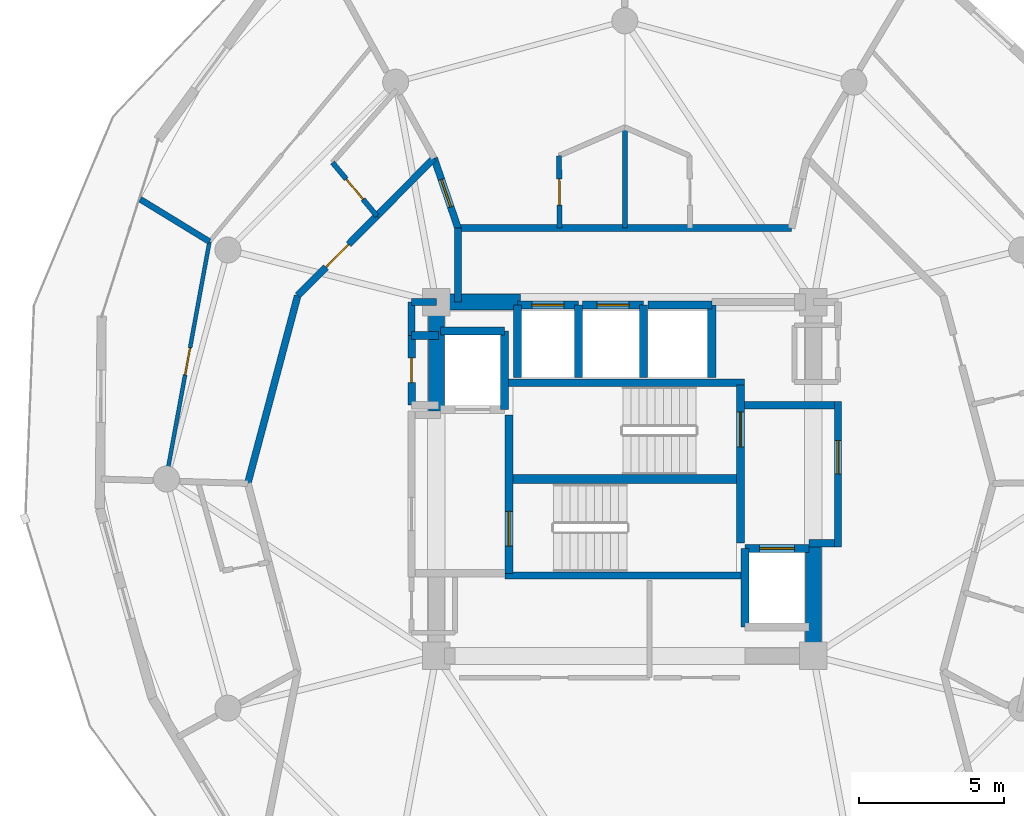
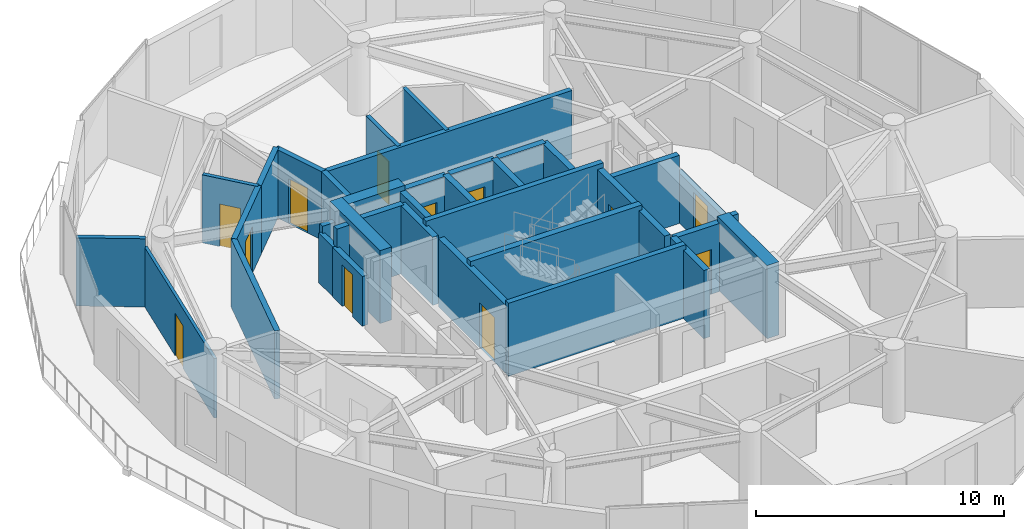
# One storey, part 16 of 20: 37 walls, 12 doors, 12 openings.
"""IFC4 building model written with IfcOpenShell, lengths in metres."""

from ifc_helpers import new_model, si_unit, direction, frame, frame_2d, origin, place, context, subcontext, project, spatial, rectangle, extrude, material, layer, layer_set, type_object, element, fill, save


model = new_model("IFC4")

# Units and contexts
model_context = context("Model", 3, precision=1e-05, world=origin(), true_north=direction((0.0, 1.0)))
body_context = subcontext(model_context, "Body", "Model", "MODEL_VIEW")
ifc_project = project(units=[si_unit("LENGTHUNIT", "METRE"), si_unit("AREAUNIT", "SQUARE_METRE"), si_unit("VOLUMEUNIT", "CUBIC_METRE"), si_unit("PLANEANGLEUNIT", "RADIAN"), si_unit("MASSUNIT", "GRAM", prefix="KILO")], contexts=[model_context])

# Site, building, storey
site_placement = place(None, origin())
site = spatial("IfcSite", under=ifc_project, at=site_placement, CompositionType="ELEMENT")
building_placement = place(site_placement, origin())
building = spatial("IfcBuilding", under=site, at=building_placement, Name="Solvirekh Grand Hotel", CompositionType="ELEMENT")
storey_placement = place(building_placement, frame((0.0, 0.0, 209.199951171875)))
storey = spatial("IfcBuildingStorey", under=building, at=storey_placement, Name="L54", CompositionType="ELEMENT", Elevation=209.199951171875)

# Walls
ifc_material_1 = material(Name="Concrete C50/60", Category="concrete")
ifc_layer_1 = layer(ifc_material_1, 0.35009765625)
ifc_layer_set_1 = layer_set([ifc_layer_1], Name="Concrete C50/60")
wall_type_1 = type_object("IfcWallType", Name="CoreDivWall_RC350", PredefinedType="SOLIDWALL", material=ifc_layer_set_1)
for number, where, z_axis, x_axis, name in (
    (1, (-4.1298828125, -3.324951171875, 0.0), (0.0, 0.0, 1.0), (1.0, 0.0, 0.0), "L54 core stair box wall ST-S"),
    (2, (-4.1298828125, 3.324951171875, 0.0), (0.0, 0.0, 1.0), (1.0, 0.0, 0.0), "L54 core stair box wall ST-N"),
):
    element("IfcWall", number, at=place(storey_placement, frame(where, z_axis=z_axis, x_axis=x_axis)), inside=storey, type_object=wall_type_1, Name=name, PredefinedType="SOLIDWALL", context=body_context, shape_type="SweptSolid", body=[
        extrude(rectangle(XDim=8.259765625, YDim=0.25, at=frame_2d((4.1298828125, 0.0))), origin(), (0.0, 0.0, 1.0), 3.60009765625),
    ])

# Wall, opening, door
ifc_material_2 = material(Name="Concrete C40/50", Category="concrete")
ifc_layer_2 = layer(ifc_material_2, 0.280029296875)
ifc_layer_set_2 = layer_set([ifc_layer_2], Name="Concrete C40/50")
wall_type_2 = type_object("IfcWallType", Name="CoreShaftWall_RC280", PredefinedType="SOLIDWALL", material=ifc_layer_set_2)
wall_1_placement = place(storey_placement, frame((-1.60009765625, 6.0, 0.0), z_axis=(0.0, 0.0, 1.0), x_axis=(-1.0, 0.0, 0.0)))
wall_1 = element("IfcWall", 3, at=wall_1_placement, inside=storey, type_object=wall_type_2, Name="L54 HP-1 hoistway N wall", PredefinedType="SOLIDWALL", context=body_context, shape_type="SweptSolid", body=[
    extrude(rectangle(XDim=2.099853515625, YDim=0.280029296875, at=frame_2d((1.0498046875, 0.0))), origin(), (0.0, 0.0, 1.0), 3.360107421875),
])
opening_1_placement = place(wall_1_placement, frame((0.5, 0.0, 0.0)))
opening_1 = element("IfcOpeningElement", 4, at=opening_1_placement, cuts=wall_1, Name="Opening LD01", PredefinedType="OPENING", context=body_context, shape_type="SweptSolid", body=[
    extrude(rectangle(XDim=1.10009765625, YDim=2.199951171875, at=frame_2d((0.550048828125, 1.10009765625))), frame((0.0, 0.14990234375, 0.0), z_axis=(0.0, -1.0, 0.0), x_axis=(1.0, 0.0, 0.0)), (0.0, 0.0, 1.0), 0.300048828125),
])
ifc_material_3 = material(Name="Fire-Rated Steel Door Assembly", Category="steel")
door_type_1 = type_object("IfcDoorType", Name="Door_LiftLanding_1100X2200", OperationType="SLIDING_TO_LEFT", PredefinedType="DOOR", material=ifc_material_3)
door_1_placement = place(opening_1_placement, origin())
door_1 = element("IfcDoor", 5, at=door_1_placement, inside=storey, type_object=door_type_1, Name="L54 HP-1 sliding lift landing door", OperationType="SLIDING_TO_LEFT", OverallHeight=2.199951171875, OverallWidth=1.10009765625, PredefinedType="DOOR", context=body_context, shape_type="SweptSolid", body=[
    extrude(rectangle(XDim=1.10009765625, YDim=2.199951171875, at=frame_2d((0.550048828125, 1.10009765625))), frame((0.0, 0.02490234375, 0.0), z_axis=(0.0, -1.0, 0.0), x_axis=(1.0, 0.0, 0.0)), (0.0, 0.0, 1.0), 0.050048828125),
])
fill(opening_1, door_1)

# Walls
for number, where, z_axis, x_axis, name in (
    (6, (-3.699951171875, 6.0, 0.0), (0.0, 0.0, 1.0), (0.0, -1.0, 0.0), "L54 HP-1 hoistway W wall"),
    (7, (-1.60009765625, 3.5, 0.0), (0.0, 0.0, 1.0), (0.0, 1.0, 0.0), "L54 HP-1 hoistway E wall"),
):
    element("IfcWall", number, at=place(storey_placement, frame(where, z_axis=z_axis, x_axis=x_axis)), inside=storey, type_object=wall_type_2, Name=name, PredefinedType="SOLIDWALL", context=body_context, shape_type="SweptSolid", body=[
        extrude(rectangle(XDim=2.5, YDim=0.280029296875, at=frame_2d((1.25, 0.0))), origin(), (0.0, 0.0, 1.0), 3.360107421875),
    ])

# Wall, opening, door
wall_2_placement = place(storey_placement, frame((0.64990234375, 6.0, 0.0), z_axis=(0.0, 0.0, 1.0), x_axis=(-1.0, 0.0, 0.0)))
wall_2 = element("IfcWall", 8, at=wall_2_placement, inside=storey, type_object=wall_type_2, Name="L54 HP-2 hoistway N wall", PredefinedType="SOLIDWALL", context=body_context, shape_type="SweptSolid", body=[
    extrude(rectangle(XDim=2.099853515625, YDim=0.280029296875, at=frame_2d((1.0498046875, 0.0))), origin(), (0.0, 0.0, 1.0), 3.360107421875),
])
opening_2_placement = place(wall_2_placement, frame((0.5, 0.0, 0.0)))
opening_2 = element("IfcOpeningElement", 9, at=opening_2_placement, cuts=wall_2, Name="Opening LD01", PredefinedType="OPENING", context=body_context, shape_type="SweptSolid", body=[
    extrude(rectangle(XDim=1.10009765625, YDim=2.199951171875, at=frame_2d((0.550048828125, 1.10009765625))), frame((0.0, 0.14990234375, 0.0), z_axis=(0.0, -1.0, 0.0), x_axis=(1.0, 0.0, 0.0)), (0.0, 0.0, 1.0), 0.300048828125),
])
door_2_placement = place(opening_2_placement, origin())
door_2 = element("IfcDoor", 10, at=door_2_placement, inside=storey, type_object=door_type_1, Name="L54 HP-2 sliding lift landing door", OperationType="SLIDING_TO_LEFT", OverallHeight=2.199951171875, OverallWidth=1.10009765625, PredefinedType="DOOR", context=body_context, shape_type="SweptSolid", body=[
    extrude(rectangle(XDim=1.10009765625, YDim=2.199951171875, at=frame_2d((0.550048828125, 1.10009765625))), frame((0.0, 0.02490234375, 0.0), z_axis=(0.0, -1.0, 0.0), x_axis=(1.0, 0.0, 0.0)), (0.0, 0.0, 1.0), 0.050048828125),
])
fill(opening_2, door_2)

# Walls
wall_3_placement = place(storey_placement, frame((0.64990234375, 3.5, 0.0), z_axis=(0.0, 0.0, 1.0), x_axis=(0.0, 1.0, 0.0)))
element("IfcWall", 11, at=wall_3_placement, inside=storey, type_object=wall_type_2, Name="L54 HP-2 hoistway E wall", PredefinedType="SOLIDWALL", context=body_context, shape_type="SweptSolid", body=[
    extrude(rectangle(XDim=2.5, YDim=0.280029296875, at=frame_2d((1.25, 0.0))), origin(), (0.0, 0.0, 1.0), 3.360107421875),
])
wall_4_placement = place(storey_placement, frame((3.0, 6.0, 0.0), z_axis=(0.0, 0.0, 1.0), x_axis=(-1.0, 0.0, 0.0)))
element("IfcWall", 12, at=wall_4_placement, inside=storey, type_object=wall_type_2, Name="L54 EX-1 hoistway N wall", PredefinedType="SOLIDWALL", context=body_context, shape_type="SweptSolid", body=[
    extrude(rectangle(XDim=2.199951171875, YDim=0.280029296875, at=frame_2d((1.10009765625, 0.0))), origin(), (0.0, 0.0, 1.0), 3.360107421875),
])
wall_5_placement = place(storey_placement, frame((3.0, 3.5, 0.0), z_axis=(0.0, 0.0, 1.0), x_axis=(0.0, 1.0, 0.0)))
element("IfcWall", 13, at=wall_5_placement, inside=storey, type_object=wall_type_2, Name="L54 EX-1 hoistway E wall", PredefinedType="SOLIDWALL", context=body_context, shape_type="SweptSolid", body=[
    extrude(rectangle(XDim=2.5, YDim=0.280029296875, at=frame_2d((1.25, 0.0))), origin(), (0.0, 0.0, 1.0), 3.360107421875),
])
wall_6_placement = place(storey_placement, frame((-4.14990234375, 5.10009765625, 0.0), z_axis=(0.0, 0.0, 1.0), x_axis=(-1.0, 0.0, 0.0)))
element("IfcWall", 14, at=wall_6_placement, inside=storey, type_object=wall_type_2, Name="L54 FL-1 hoistway N wall", PredefinedType="SOLIDWALL", context=body_context, shape_type="SweptSolid", body=[
    extrude(rectangle(XDim=2.2001953125, YDim=0.280029296875, at=frame_2d((1.10009765625, 0.0))), origin(), (0.0, 0.0, 1.0), 3.360107421875),
])
wall_7_placement = place(storey_placement, frame((-4.14990234375, 2.39990234375, 0.0), z_axis=(0.0, 0.0, 1.0), x_axis=(0.0, 1.0, 0.0)))
element("IfcWall", 15, at=wall_7_placement, inside=storey, type_object=wall_type_2, Name="L54 FL-1 hoistway E wall", PredefinedType="SOLIDWALL", context=body_context, shape_type="SweptSolid", body=[
    extrude(rectangle(XDim=2.7001953125, YDim=0.280029296875, at=frame_2d((1.35009765625, 0.0))), origin(), (0.0, 0.0, 1.0), 3.360107421875),
])

# Wall, opening, door
wall_8_placement = place(storey_placement, frame((6.35009765625, -2.39990234375, 0.0), z_axis=(0.0, 0.0, 1.0), x_axis=(-1.0, 0.0, 0.0)))
wall_8 = element("IfcWall", 16, at=wall_8_placement, inside=storey, type_object=wall_type_2, Name="L54 FL-2 hoistway N wall", PredefinedType="SOLIDWALL", context=body_context, shape_type="SweptSolid", body=[
    extrude(rectangle(XDim=2.2001953125, YDim=0.280029296875, at=frame_2d((1.10009765625, 0.0))), origin(), (0.0, 0.0, 1.0), 3.360107421875),
])
opening_3_placement = place(wall_8_placement, frame((0.5, 0.0, 0.0)))
opening_3 = element("IfcOpeningElement", 17, at=opening_3_placement, cuts=wall_8, Name="Opening LD02", PredefinedType="OPENING", context=body_context, shape_type="SweptSolid", body=[
    extrude(rectangle(XDim=1.199951171875, YDim=2.199951171875, at=frame_2d((0.60009765625, 1.10009765625))), frame((0.0, 0.14990234375, 0.0), z_axis=(0.0, -1.0, 0.0), x_axis=(1.0, 0.0, 0.0)), (0.0, 0.0, 1.0), 0.300048828125),
])
door_type_2 = type_object("IfcDoorType", Name="Door_LiftFF_1200X2200", OperationType="SLIDING_TO_LEFT", PredefinedType="DOOR", material=ifc_material_3)
door_3_placement = place(opening_3_placement, origin())
door_3 = element("IfcDoor", 18, at=door_3_placement, inside=storey, type_object=door_type_2, Name="L54 FL-2 sliding lift landing door", OperationType="SLIDING_TO_LEFT", OverallHeight=2.199951171875, OverallWidth=1.199951171875, PredefinedType="DOOR", context=body_context, shape_type="SweptSolid", body=[
    extrude(rectangle(XDim=1.199951171875, YDim=2.199951171875, at=frame_2d((0.60009765625, 1.10009765625))), frame((0.0, 0.02490234375, 0.0), z_axis=(0.0, -1.0, 0.0), x_axis=(1.0, 0.0, 0.0)), (0.0, 0.0, 1.0), 0.050048828125),
])
fill(opening_3, door_3)

# Wall
wall_9_placement = place(storey_placement, frame((4.14990234375, -2.39990234375, 0.0), z_axis=(0.0, 0.0, 1.0), x_axis=(0.0, -1.0, 0.0)))
element("IfcWall", 19, at=wall_9_placement, inside=storey, type_object=wall_type_2, Name="L54 FL-2 hoistway W wall", PredefinedType="SOLIDWALL", context=body_context, shape_type="SweptSolid", body=[
    extrude(rectangle(XDim=2.7001953125, YDim=0.280029296875, at=frame_2d((1.35009765625, 0.0))), origin(), (0.0, 0.0, 1.0), 3.360107421875),
])

# Wall, opening, door
wall_10_placement = place(storey_placement, frame((-3.989990234375, -3.25, 0.0), z_axis=(0.0, 0.0, 1.0), x_axis=(0.0, 1.0, 0.0)))
wall_10 = element("IfcWall", 20, at=wall_10_placement, inside=storey, type_object=wall_type_2, Name="L54 west stair landing enclosure wall", PredefinedType="SOLIDWALL", context=body_context, shape_type="SweptSolid", body=[
    extrude(rectangle(XDim=5.4599609375, YDim=0.280029296875, at=frame_2d((2.72998046875, 0.0))), origin(), (0.0, 0.0, 1.0), 3.360107421875),
])
opening_4_placement = place(wall_10_placement, frame((0.93701171875, 0.0, 0.0)))
opening_4 = element("IfcOpeningElement", 21, at=opening_4_placement, cuts=wall_10, Name="Opening D05", PredefinedType="OPENING", context=body_context, shape_type="SweptSolid", body=[
    extrude(rectangle(XDim=1.199951171875, YDim=2.199951171875, at=frame_2d((0.60009765625, 1.10009765625))), frame((0.0, 0.14990234375, 0.0), z_axis=(0.0, -1.0, 0.0), x_axis=(1.0, 0.0, 0.0)), (0.0, 0.0, 1.0), 0.300048828125),
])
door_type_3 = type_object("IfcDoorType", Name="Door_StairCore_1200X2200", OperationType="NOTDEFINED", PredefinedType="DOOR", material=ifc_material_3)
door_4_placement = place(opening_4_placement, origin())
door_4 = element("IfcDoor", 22, at=door_4_placement, inside=storey, type_object=door_type_3, Name="L54 exit stair ST-1 fire door", OperationType="SINGLE_SWING_LEFT", OverallHeight=2.199951171875, OverallWidth=1.199951171875, PredefinedType="DOOR", context=body_context, shape_type="SweptSolid", body=[
    extrude(rectangle(XDim=1.199951171875, YDim=2.199951171875, at=frame_2d((0.60009765625, 1.10009765625))), frame((0.0, 0.02490234375, 0.0), z_axis=(0.0, -1.0, 0.0), x_axis=(1.0, 0.0, 0.0)), (0.0, 0.0, 1.0), 0.050048828125),
])
fill(opening_4, door_4)

wall_11_placement = place(storey_placement, frame((3.989990234375, -2.2099609375, 0.0), z_axis=(0.0, 0.0, 1.0), x_axis=(0.0, 1.0, 0.0)))
wall_11 = element("IfcWall", 23, at=wall_11_placement, inside=storey, type_object=wall_type_2, Name="L54 east stair landing enclosure wall", PredefinedType="SOLIDWALL", context=body_context, shape_type="SweptSolid", body=[
    extrude(rectangle(XDim=5.4599609375, YDim=0.280029296875, at=frame_2d((2.72998046875, 0.0))), origin(), (0.0, 0.0, 1.0), 3.360107421875),
])
opening_5_placement = place(wall_11_placement, frame((3.322998046875, 0.0, 0.0)))
opening_5 = element("IfcOpeningElement", 24, at=opening_5_placement, cuts=wall_11, Name="Opening D05", PredefinedType="OPENING", context=body_context, shape_type="SweptSolid", body=[
    extrude(rectangle(XDim=1.199951171875, YDim=2.199951171875, at=frame_2d((0.60009765625, 1.10009765625))), frame((0.0, 0.14990234375, 0.0), z_axis=(0.0, -1.0, 0.0), x_axis=(1.0, 0.0, 0.0)), (0.0, 0.0, 1.0), 0.300048828125),
])
door_5_placement = place(opening_5_placement, origin())
door_5 = element("IfcDoor", 25, at=door_5_placement, inside=storey, type_object=door_type_3, Name="L54 exit stair ST-2 fire door", OperationType="SINGLE_SWING_RIGHT", OverallHeight=2.199951171875, OverallWidth=1.199951171875, PredefinedType="DOOR", context=body_context, shape_type="SweptSolid", body=[
    extrude(rectangle(XDim=1.199951171875, YDim=2.199951171875, at=frame_2d((0.60009765625, 1.10009765625))), frame((0.0, 0.02490234375, 0.0), z_axis=(0.0, -1.0, 0.0), x_axis=(1.0, 0.0, 0.0)), (0.0, 0.0, 1.0), 0.050048828125),
])
fill(opening_5, door_5)

# Walls
ifc_layer_3 = layer(ifc_material_1, 0.550048828125)
ifc_layer_set_3 = layer_set([ifc_layer_3], Name="Concrete C50/60")
wall_type_3 = type_object("IfcWallType", Name="CoreWall_RC550", PredefinedType="SHEAR", material=ifc_layer_set_3)
wall_12_placement = place(storey_placement, frame((-3.989990234375, 0.0, 0.0), z_axis=(0.0, 0.0, 1.0), x_axis=(1.0, 0.0, 0.0)))
element("IfcWall", 26, at=wall_12_placement, inside=storey, type_object=wall_type_3, Name="L54 central stair-spine shear wall", PredefinedType="SHEAR", context=body_context, shape_type="SweptSolid", body=[
    extrude(rectangle(XDim=7.97998046875, YDim=0.300048828125, at=frame_2d((3.989990234375, 0.0))), origin(), (0.0, 0.0, 1.0), 3.60009765625),
])
wall_13_placement = place(storey_placement, frame((-6.22509765625, 6.10009765625, 0.0), z_axis=(0.0, 0.0, 1.0), x_axis=(1.0, 0.0, 0.0)))
element("IfcWall", 27, at=wall_13_placement, inside=storey, type_object=wall_type_3, Name="L54 core corner shear wall NW-N", PredefinedType="SHEAR", context=body_context, shape_type="SweptSolid", body=[
    extrude(rectangle(XDim=2.625, YDim=0.550048828125, at=frame_2d((1.3125, 0.0))), origin(), (0.0, 0.0, 1.0), 3.60009765625),
])
for number, where, z_axis, x_axis, name in (
    (28, (-6.5, 2.35009765625, 0.0), (0.0, 0.0, 1.0), (0.0, 1.0, 0.0), "L54 core corner shear wall WN-W"),
    (29, (6.5, -6.375, 0.0), (0.0, 0.0, 1.0), (0.0, 1.0, 0.0), "L54 core corner shear wall ES-E"),
):
    element("IfcWall", number, at=place(storey_placement, frame(where, z_axis=z_axis, x_axis=x_axis)), inside=storey, type_object=wall_type_3, Name=name, PredefinedType="SHEAR", context=body_context, shape_type="SweptSolid", body=[
        extrude(rectangle(XDim=4.02490234375, YDim=0.550048828125, at=frame_2d((2.012451171875, 0.0))), origin(), (0.0, 0.0, 1.0), 3.60009765625),
    ])

# Wall, opening, door
ifc_material_4 = material(Name="Acoustic Gypsum Partition Assembly")
ifc_layer_4 = layer(ifc_material_4, 0.239990234375)
ifc_layer_set_4 = layer_set([ifc_layer_4], Name="Acoustic Gypsum Partition Assembly")
wall_type_4 = type_object("IfcWallType", Name="Part_Corridor_240", PredefinedType="PARTITIONING", material=ifc_layer_set_4)
wall_14_placement = place(storey_placement, frame((7.35009765625, -2.340087890625, 0.0), z_axis=(0.0, 0.0, 1.0), x_axis=(0.0, 1.0, 0.0)))
wall_14 = element("IfcWall", 30, at=wall_14_placement, inside=storey, type_object=wall_type_4, Name="L54 east firefighting lobby smoke screen wall", PredefinedType="PARTITIONING", context=body_context, shape_type="SweptSolid", body=[
    extrude(rectangle(XDim=5.02001953125, YDim=0.239990234375, at=frame_2d((2.510009765625, 0.0))), origin(), (0.0, 0.0, 1.0), 2.445068359375),
])
opening_6_placement = place(wall_14_placement, frame((2.514892578125, 0.0, 0.0)))
opening_6 = element("IfcOpeningElement", 31, at=opening_6_placement, cuts=wall_14, Name="Opening D06", PredefinedType="OPENING", context=body_context, shape_type="SweptSolid", body=[
    extrude(rectangle(XDim=1.14990234375, YDim=2.199951171875, at=frame_2d((0.574951171875, 1.10009765625))), frame((0.0, 0.1298828125, 0.0), z_axis=(0.0, -1.0, 0.0), x_axis=(1.0, 0.0, 0.0)), (0.0, 0.0, 1.0), 0.260009765625),
])
door_type_4 = type_object("IfcDoorType", Name="Door_FFLobby_1150X2200", OperationType="NOTDEFINED", PredefinedType="DOOR", material=ifc_material_3)
door_6_placement = place(opening_6_placement, origin())
door_6 = element("IfcDoor", 32, at=door_6_placement, inside=storey, type_object=door_type_4, Name="L54 east firefighting lobby smoke door", OperationType="SINGLE_SWING_RIGHT", OverallHeight=2.199951171875, OverallWidth=1.14990234375, PredefinedType="DOOR", context=body_context, shape_type="SweptSolid", body=[
    extrude(rectangle(XDim=1.14990234375, YDim=2.199951171875, at=frame_2d((0.574951171875, 1.10009765625))), frame((0.0, 0.02490234375, 0.0), z_axis=(0.0, -1.0, 0.0), x_axis=(1.0, 0.0, 0.0)), (0.0, 0.0, 1.0), 0.050048828125),
])
fill(opening_6, door_6)

# Walls
wall_15_placement = place(storey_placement, frame((-5.75, 8.64990234375, 0.0), z_axis=(0.0, 0.0, 1.0), x_axis=(1.0, 0.0, 0.0)))
element("IfcWall", 33, at=wall_15_placement, inside=storey, type_object=wall_type_4, Name="L54 north lift lobby enclosure wall", PredefinedType="PARTITIONING", context=body_context, shape_type="SweptSolid", body=[
    extrude(rectangle(XDim=11.5, YDim=0.239990234375, at=frame_2d((5.75, 0.0))), origin(), (0.0, 0.0, 1.0), 3.360107421875),
])
wall_16_placement = place(storey_placement, frame((-5.75, 6.10009765625, 0.0), z_axis=(0.0, 0.0, 1.0), x_axis=(0.0, 1.0, 0.0)))
element("IfcWall", 34, at=wall_16_placement, inside=storey, type_object=wall_type_4, Name="L54 north lift lobby west wall", PredefinedType="PARTITIONING", context=body_context, shape_type="SweptSolid", body=[
    extrude(rectangle(XDim=2.5498046875, YDim=0.239990234375, at=frame_2d((1.27490234375, 0.0))), origin(), (0.0, 0.0, 1.0), 3.360107421875),
])
wall_17_placement = place(storey_placement, frame((-7.35009765625, 4.949951171875, 0.0), z_axis=(0.0, 0.0, 1.0), x_axis=(0.0, 1.0, 0.0)))
element("IfcWall", 35, at=wall_17_placement, inside=storey, type_object=wall_type_4, Name="L54 NW core cheek closure wall", PredefinedType="PARTITIONING", context=body_context, shape_type="SweptSolid", body=[
    extrude(rectangle(XDim=1.150146484375, YDim=0.239990234375, at=frame_2d((0.5751953125, 0.0))), origin(), (0.0, 0.0, 1.0), 2.445068359375),
])
wall_18_placement = place(storey_placement, frame((-7.35009765625, 6.10009765625, 0.0), z_axis=(0.0, 0.0, 1.0), x_axis=(1.0, 0.0, 0.0)))
element("IfcWall", 36, at=wall_18_placement, inside=storey, type_object=wall_type_4, Name="L54 NW core corner tie wall", PredefinedType="PARTITIONING", context=body_context, shape_type="SweptSolid", body=[
    extrude(rectangle(XDim=0.85009765625, YDim=0.239990234375, at=frame_2d((0.425048828125, 0.0))), origin(), (0.0, 0.0, 1.0), 2.801025390625),
])

# Wall, opening, door
wall_19_placement = place(storey_placement, frame((-6.574951171875, 11.06494140625, 0.0), z_axis=(0.0, 0.0, 1.0), x_axis=(0.323250422642, -0.946313459833, 0.0)))
wall_19 = element("IfcWall", 37, at=wall_19_placement, inside=storey, type_object=wall_type_4, Name="L54 Panorama Suite 5602 entrance wall", PredefinedType="PARTITIONING", context=body_context, shape_type="SweptSolid", body=[
    extrude(rectangle(XDim=2.552001953125, YDim=0.239990234375, at=frame_2d((1.27587890625, 0.0))), origin(), (0.0, 0.0, 1.0), 3.360107421875),
])
opening_7_placement = place(wall_19_placement, frame((0.77587890625, 0.0, 0.0)))
opening_7 = element("IfcOpeningElement", 38, at=opening_7_placement, cuts=wall_19, Name="Opening D07", PredefinedType="OPENING", context=body_context, shape_type="SweptSolid", body=[
    extrude(rectangle(XDim=1.0, YDim=2.199951171875, at=frame_2d((0.5, 1.10009765625))), frame((0.0, 0.1298828125, 0.0), z_axis=(0.0, -1.0, 0.0), x_axis=(1.0, 0.0, 0.0)), (0.0, 0.0, 1.0), 0.260009765625),
])
door_type_5 = type_object("IfcDoorType", Name="Door_GuestEntry_1000X2200", OperationType="NOTDEFINED", PredefinedType="DOOR", material=ifc_material_3)
door_7_placement = place(opening_7_placement, origin())
door_7 = element("IfcDoor", 39, at=door_7_placement, inside=storey, type_object=door_type_5, Name="L54 Panorama Suite 5602 entrance door", OperationType="SINGLE_SWING_LEFT", OverallHeight=2.199951171875, OverallWidth=1.0, PredefinedType="DOOR", context=body_context, shape_type="SweptSolid", body=[
    extrude(rectangle(XDim=1.0, YDim=2.199951171875, at=frame_2d((0.5, 1.10009765625))), frame((0.0, 0.02490234375, 0.0), z_axis=(0.0, -1.0, 0.0), x_axis=(1.0, 0.0, 0.0)), (0.0, 0.0, 1.0), 0.050048828125),
])
fill(opening_7, door_7)

# Walls
wall_20_placement = place(storey_placement, frame((-6.574951171875, 11.06494140625, 0.0), z_axis=(0.0, 0.0, 1.0), x_axis=(-0.704271845888, -0.709930395947, 0.0)))
element("IfcWall", 40, at=wall_20_placement, inside=storey, type_object=wall_type_4, Name="L54 En-suite Bathroom 5603 corridor backing wall", PredefinedType="PARTITIONING", context=body_context, shape_type="SweptSolid", body=[
    extrude(rectangle(XDim=2.804443359375, YDim=0.239990234375, at=frame_2d((1.40234375, 0.0))), origin(), (0.0, 0.0, 1.0), 3.360107421875),
])
wall_21_placement = place(storey_placement, frame((-11.278076171875, 6.324951171875, 0.0), z_axis=(0.0, 0.0, 1.0), x_axis=(-0.257007135557, -0.966409505475, 0.0)))
element("IfcWall", 41, at=wall_21_placement, inside=storey, type_object=wall_type_4, Name="L54 Executive Suite 5603 Living Room corridor wall 1", PredefinedType="PARTITIONING", context=body_context, shape_type="SweptSolid", body=[
    extrude(rectangle(XDim=6.699951171875, YDim=0.239990234375, at=frame_2d((3.35009765625, 0.0))), origin(), (0.0, 0.0, 1.0), 3.360107421875),
])

# Wall, opening, door
wall_22_placement = place(storey_placement, frame((-8.550048828125, 9.073974609375, 0.0), z_axis=(0.0, 0.0, 1.0), x_axis=(-0.704390934975, -0.709812236246, 0.0)))
wall_22 = element("IfcWall", 42, at=wall_22_placement, inside=storey, type_object=wall_type_4, Name="L54 Executive Suite 5603 Living Room entrance wall", PredefinedType="PARTITIONING", context=body_context, shape_type="SweptSolid", body=[
    extrude(rectangle(XDim=3.872802734375, YDim=0.239990234375, at=frame_2d((1.9365234375, 0.0))), origin(), (0.0, 0.0, 1.0), 3.360107421875),
])
opening_8_placement = place(wall_22_placement, frame((1.385986328125, 0.0, 0.0)))
opening_8 = element("IfcOpeningElement", 43, at=opening_8_placement, cuts=wall_22, Name="Opening D08", PredefinedType="OPENING", context=body_context, shape_type="SweptSolid", body=[
    extrude(rectangle(XDim=1.10009765625, YDim=2.300048828125, at=frame_2d((0.550048828125, 1.14990234375))), frame((0.0, 0.1298828125, 0.0), z_axis=(0.0, -1.0, 0.0), x_axis=(1.0, 0.0, 0.0)), (0.0, 0.0, 1.0), 0.260009765625),
])
door_type_6 = type_object("IfcDoorType", Name="Door_SuiteEntry_1100X2300", OperationType="NOTDEFINED", PredefinedType="DOOR", material=ifc_material_3)
door_8_placement = place(opening_8_placement, origin())
door_8 = element("IfcDoor", 44, at=door_8_placement, inside=storey, type_object=door_type_6, Name="L54 Executive Suite 5603 Living Room entrance door", OperationType="SINGLE_SWING_LEFT", OverallHeight=2.300048828125, OverallWidth=1.10009765625, PredefinedType="DOOR", context=body_context, shape_type="SweptSolid", body=[
    extrude(rectangle(XDim=1.10009765625, YDim=2.300048828125, at=frame_2d((0.550048828125, 1.14990234375))), frame((0.0, 0.02490234375, 0.0), z_axis=(0.0, -1.0, 0.0), x_axis=(1.0, 0.0, 0.0)), (0.0, 0.0, 1.0), 0.050048828125),
])
fill(opening_8, door_8)

# Walls
ifc_layer_5 = layer(ifc_material_4, 0.260009765625)
ifc_layer_set_5 = layer_set([ifc_layer_5], Name="Acoustic Gypsum Partition Assembly")
wall_type_5 = type_object("IfcWallType", Name="Part_LobbyFF_260", PredefinedType="PARTITIONING", material=ifc_layer_set_5)
wall_23_placement = place(storey_placement, frame((6.35009765625, -2.2099609375, 0.0), z_axis=(0.0, 0.0, 1.0), x_axis=(1.0, 0.0, 0.0)))
element("IfcWall", 45, at=wall_23_placement, inside=storey, type_object=wall_type_5, Name="L54 east firefighting lobby SE cheek", PredefinedType="PARTITIONING", context=body_context, shape_type="SweptSolid", body=[
    extrude(rectangle(XDim=0.875, YDim=0.260009765625, at=frame_2d((0.4375, 0.0))), origin(), (0.0, 0.0, 1.0), 3.360107421875),
])
wall_24_placement = place(storey_placement, frame((4.1298828125, 2.550048828125, 0.0), z_axis=(0.0, 0.0, 1.0), x_axis=(1.0, 0.0, 0.0)))
element("IfcWall", 46, at=wall_24_placement, inside=storey, type_object=wall_type_5, Name="L54 east firefighting lobby north partition", PredefinedType="PARTITIONING", context=body_context, shape_type="SweptSolid", body=[
    extrude(rectangle(XDim=3.09521484375, YDim=0.260009765625, at=frame_2d((1.547607421875, 0.0))), origin(), (0.0, 0.0, 1.0), 3.360107421875),
])
wall_25_placement = place(storey_placement, frame((-7.35009765625, 4.949951171875, 0.0), z_axis=(0.0, 0.0, 1.0), x_axis=(1.0, 0.0, 0.0)))
element("IfcWall", 47, at=wall_25_placement, inside=storey, type_object=wall_type_5, Name="L54 NW telecom metering cupboard north wall", PredefinedType="PARTITIONING", context=body_context, shape_type="SweptSolid", body=[
    extrude(rectangle(XDim=0.93017578125, YDim=0.260009765625, at=frame_2d((0.465087890625, 0.0))), origin(), (0.0, 0.0, 1.0), 3.360107421875),
])

# Wall, opening, door
wall_26_placement = place(storey_placement, frame((-7.35009765625, 2.550048828125, 0.0), z_axis=(0.0, 0.0, 1.0), x_axis=(0.0, 1.0, 0.0)))
wall_26 = element("IfcWall", 48, at=wall_26_placement, inside=storey, type_object=wall_type_5, Name="L54 NW telecom metering cupboard access wall", PredefinedType="PARTITIONING", context=body_context, shape_type="SweptSolid", body=[
    extrude(rectangle(XDim=2.39990234375, YDim=0.260009765625, at=frame_2d((1.199951171875, 0.0))), origin(), (0.0, 0.0, 1.0), 2.445068359375),
])
opening_9_placement = place(wall_26_placement, frame((0.77490234375, 0.0, 0.0)))
opening_9 = element("IfcOpeningElement", 49, at=opening_9_placement, cuts=wall_26, Name="Opening D13", PredefinedType="OPENING", context=body_context, shape_type="SweptSolid", body=[
    extrude(rectangle(XDim=0.85009765625, YDim=2.050048828125, at=frame_2d((0.425048828125, 1.02490234375))), frame((0.0, 0.14013671875, 0.0), z_axis=(0.0, -1.0, 0.0), x_axis=(1.0, 0.0, 0.0)), (0.0, 0.0, 1.0), 0.280029296875),
])
door_type_7 = type_object("IfcDoorType", Name="Door_RiserShaft_850X2050", OperationType="NOTDEFINED", PredefinedType="DOOR", material=ifc_material_3)
door_9_placement = place(opening_9_placement, origin())
door_9 = element("IfcDoor", 50, at=door_9_placement, inside=storey, type_object=door_type_7, Name="L54 telecom metering cupboard access door", OperationType="SINGLE_SWING_LEFT", OverallHeight=2.050048828125, OverallWidth=0.85009765625, PredefinedType="DOOR", context=body_context, shape_type="SweptSolid", body=[
    extrude(rectangle(XDim=0.85009765625, YDim=2.050048828125, at=frame_2d((0.425048828125, 1.02490234375))), frame((0.0, 0.02490234375, 0.0), z_axis=(0.0, -1.0, 0.0), x_axis=(1.0, 0.0, 0.0)), (0.0, 0.0, 1.0), 0.050048828125),
])
fill(opening_9, door_9)

ifc_layer_6 = layer(ifc_material_4, 0.135009765625)
ifc_layer_set_6 = layer_set([ifc_layer_6], Name="Acoustic Gypsum Partition Assembly")
wall_type_6 = type_object("IfcWallType", Name="Part_RoomInt_135", PredefinedType="PARTITIONING", material=ifc_layer_set_6)
wall_27_placement = place(storey_placement, frame((-14.320068359375, 8.18603515625, 0.0), z_axis=(0.0, 0.0, 1.0), x_axis=(-0.179886727607, -0.983687331031, 0.0)))
wall_27 = element("IfcWall", 51, at=wall_27_placement, inside=storey, type_object=wall_type_6, Name="L54 Executive Suite 5603 Panorama Suite Study bedroom screen wall", PredefinedType="PARTITIONING", context=body_context, shape_type="SweptSolid", body=[
    extrude(rectangle(XDim=8.388916015625, YDim=0.135009765625, at=frame_2d((4.1943359375, 0.0))), origin(), (0.0, 0.0, 1.0), 2.928955078125),
])
opening_10_placement = place(wall_27_placement, frame((3.718994140625, 0.0, 0.0)))
opening_10 = element("IfcOpeningElement", 52, at=opening_10_placement, cuts=wall_27, Name="Opening D10", PredefinedType="OPENING", context=body_context, shape_type="SweptSolid", body=[
    extrude(rectangle(XDim=0.949951171875, YDim=2.10009765625, at=frame_2d((0.47509765625, 1.050048828125))), frame((0.0, 0.07763671875, 0.0), z_axis=(0.0, -1.0, 0.0), x_axis=(1.0, 0.0, 0.0)), (0.0, 0.0, 1.0), 0.155029296875),
])
ifc_material_5 = material(Name="Anodized Bronze Aluminium 6063-T6", Category="aluminium")
door_type_8 = type_object("IfcDoorType", Name="Door_RoomInt_950X2100", OperationType="NOTDEFINED", PredefinedType="DOOR", material=ifc_material_5)
door_10_placement = place(opening_10_placement, origin())
door_10 = element("IfcDoor", 53, at=door_10_placement, inside=storey, type_object=door_type_8, Name="L54 Executive Suite 5603 Panorama Suite Study master bedroom door", OperationType="SINGLE_SWING_LEFT", OverallHeight=2.10009765625, OverallWidth=0.949951171875, PredefinedType="DOOR", context=body_context, shape_type="SweptSolid", body=[
    extrude(rectangle(XDim=0.949951171875, YDim=2.10009765625, at=frame_2d((0.47509765625, 1.050048828125))), frame((0.0, 0.02490234375, 0.0), z_axis=(0.0, -1.0, 0.0), x_axis=(1.0, 0.0, 0.0)), (0.0, 0.0, 1.0), 0.050048828125),
])
fill(opening_10, door_10)

# Walls
ifc_layer_7 = layer(ifc_material_4, 0.2099609375)
ifc_layer_set_7 = layer_set([ifc_layer_7], Name="Acoustic Gypsum Partition Assembly")
wall_type_7 = type_object("IfcWallType", Name="Part_SuiteDemise_210", PredefinedType="PARTITIONING", material=ifc_layer_set_7)
wall_28_placement = place(storey_placement, frame((-14.320068359375, 8.18603515625, 0.0), z_axis=(0.0, 0.0, 1.0), x_axis=(-0.853055569856, 0.521820078895, 0.0)))
element("IfcWall", 54, at=wall_28_placement, inside=storey, type_object=wall_type_7, Name="L54 Executive Suite 5603 Living Room dividing partition 1", PredefinedType="PARTITIONING", context=body_context, shape_type="SweptSolid", body=[
    extrude(rectangle(XDim=2.801513671875, YDim=0.2099609375, at=frame_2d((1.40087890625, 0.0))), origin(), (0.0, 0.0, 1.0), 3.360107421875),
])
ifc_layer_8 = layer(ifc_material_4, 0.175048828125)
ifc_layer_set_8 = layer_set([ifc_layer_8], Name="Acoustic Gypsum Partition Assembly")
wall_type_8 = type_object("IfcWallType", Name="Plumb_Ensuite_175", PredefinedType="PLUMBINGWALL", material=ifc_layer_set_8)
wall_29_placement = place(storey_placement, frame((0.0, 12.1279296875, 0.0), z_axis=(0.0, 0.0, 1.0), x_axis=(0.0, -1.0, 0.0)))
element("IfcWall", 55, at=wall_29_placement, inside=storey, type_object=wall_type_8, Name="L54 En-suite Bathroom 5601 side plumbing wall", PredefinedType="PLUMBINGWALL", context=body_context, shape_type="SweptSolid", body=[
    extrude(rectangle(XDim=3.47802734375, YDim=0.175048828125, at=frame_2d((1.739013671875, 0.0))), origin(), (0.0, 0.0, 1.0), 3.360107421875),
])

# Wall, opening, door
wall_30_placement = place(storey_placement, frame((-2.263916015625, 11.14794921875, 0.0), z_axis=(0.0, 0.0, 1.0), x_axis=(0.005570671967, -0.999984483687, 0.0)))
wall_30 = element("IfcWall", 56, at=wall_30_placement, inside=storey, type_object=wall_type_8, Name="L54 En-suite Bathroom 5602 entry plumbing wall", PredefinedType="PLUMBINGWALL", context=body_context, shape_type="SweptSolid", body=[
    extrude(rectangle(XDim=2.498046875, YDim=0.175048828125, at=frame_2d((1.2490234375, 0.0))), origin(), (0.0, 0.0, 1.0), 3.360107421875),
])
opening_11_placement = place(wall_30_placement, frame((0.799072265625, 0.0, 0.0)))
opening_11 = element("IfcOpeningElement", 57, at=opening_11_placement, cuts=wall_30, Name="Opening D09", PredefinedType="OPENING", context=body_context, shape_type="SweptSolid", body=[
    extrude(rectangle(XDim=0.89990234375, YDim=2.10009765625, at=frame_2d((0.449951171875, 1.050048828125))), frame((0.0, 0.09765625, 0.0), z_axis=(0.0, -1.0, 0.0), x_axis=(1.0, 0.0, 0.0)), (0.0, 0.0, 1.0), 0.195068359375),
])
door_type_9 = type_object("IfcDoorType", Name="Door_Ensuite_900X2100", OperationType="NOTDEFINED", PredefinedType="DOOR", material=ifc_material_5)
door_11_placement = place(opening_11_placement, origin())
door_11 = element("IfcDoor", 58, at=door_11_placement, inside=storey, type_object=door_type_9, Name="L54 En-suite Bathroom 5602 door", OperationType="SINGLE_SWING_RIGHT", OverallHeight=2.10009765625, OverallWidth=0.89990234375, PredefinedType="DOOR", context=body_context, shape_type="SweptSolid", body=[
    extrude(rectangle(XDim=0.89990234375, YDim=2.10009765625, at=frame_2d((0.449951171875, 1.050048828125))), frame((0.0, 0.02490234375, 0.0), z_axis=(0.0, -1.0, 0.0), x_axis=(1.0, 0.0, 0.0)), (0.0, 0.0, 1.0), 0.050048828125),
])
fill(opening_11, door_11)

wall_31_placement = place(storey_placement, frame((-8.550048828125, 9.073974609375, 0.0), z_axis=(0.0, 0.0, 1.0), x_axis=(-0.638766783966, 0.769400413115, 0.0)))
wall_31 = element("IfcWall", 59, at=wall_31_placement, inside=storey, type_object=wall_type_8, Name="L54 En-suite Bathroom 5603 entry plumbing wall", PredefinedType="PLUMBINGWALL", context=body_context, shape_type="SweptSolid", body=[
    extrude(rectangle(XDim=2.390380859375, YDim=0.175048828125, at=frame_2d((1.1953125, 0.0))), origin(), (0.0, 0.0, 1.0), 3.360107421875),
])
opening_12_placement = place(wall_31_placement, frame((0.7451171875, 0.0, 0.0)))
opening_12 = element("IfcOpeningElement", 60, at=opening_12_placement, cuts=wall_31, Name="Opening D09", PredefinedType="OPENING", context=body_context, shape_type="SweptSolid", body=[
    extrude(rectangle(XDim=0.89990234375, YDim=2.10009765625, at=frame_2d((0.449951171875, 1.050048828125))), frame((0.0, 0.09765625, 0.0), z_axis=(0.0, -1.0, 0.0), x_axis=(1.0, 0.0, 0.0)), (0.0, 0.0, 1.0), 0.195068359375),
])
door_12_placement = place(opening_12_placement, origin())
door_12 = element("IfcDoor", 61, at=door_12_placement, inside=storey, type_object=door_type_9, Name="L54 En-suite Bathroom 5603 door", OperationType="SINGLE_SWING_RIGHT", OverallHeight=2.10009765625, OverallWidth=0.89990234375, PredefinedType="DOOR", context=body_context, shape_type="SweptSolid", body=[
    extrude(rectangle(XDim=0.89990234375, YDim=2.10009765625, at=frame_2d((0.449951171875, 1.050048828125))), frame((0.0, 0.02490234375, 0.0), z_axis=(0.0, -1.0, 0.0), x_axis=(1.0, 0.0, 0.0)), (0.0, 0.0, 1.0), 0.050048828125),
])
fill(opening_12, door_12)

save(model, "model.ifc")
